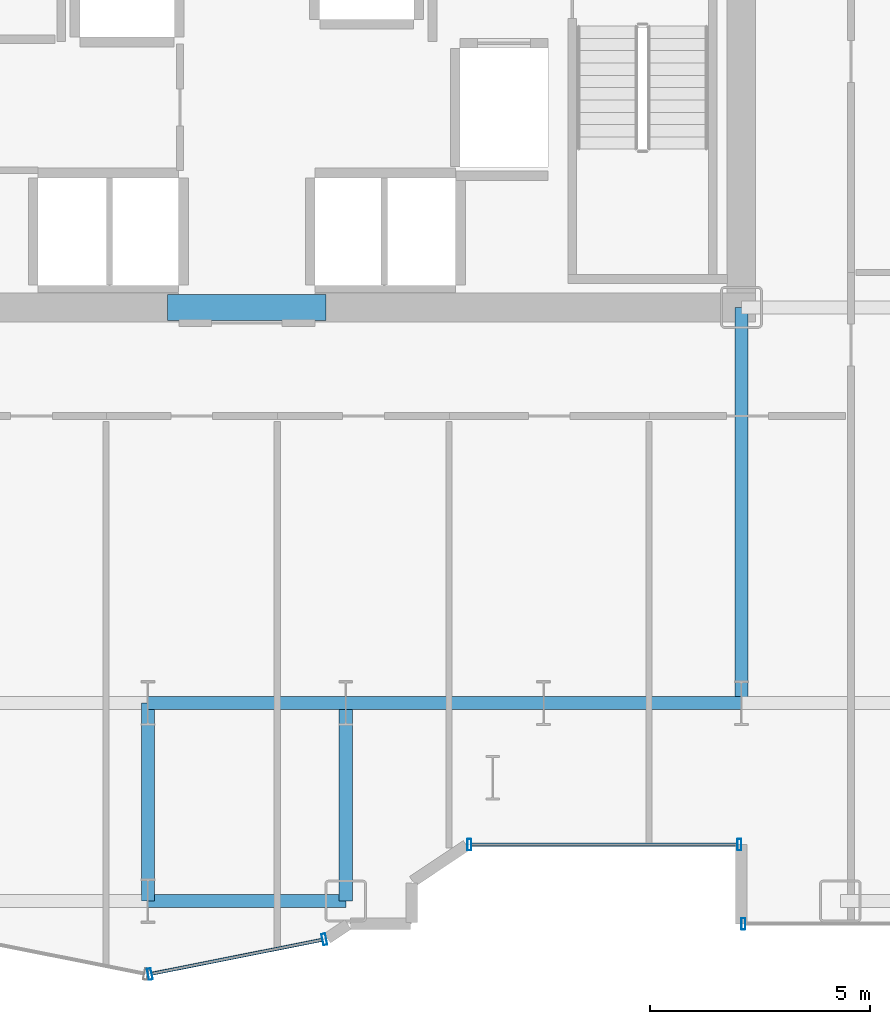
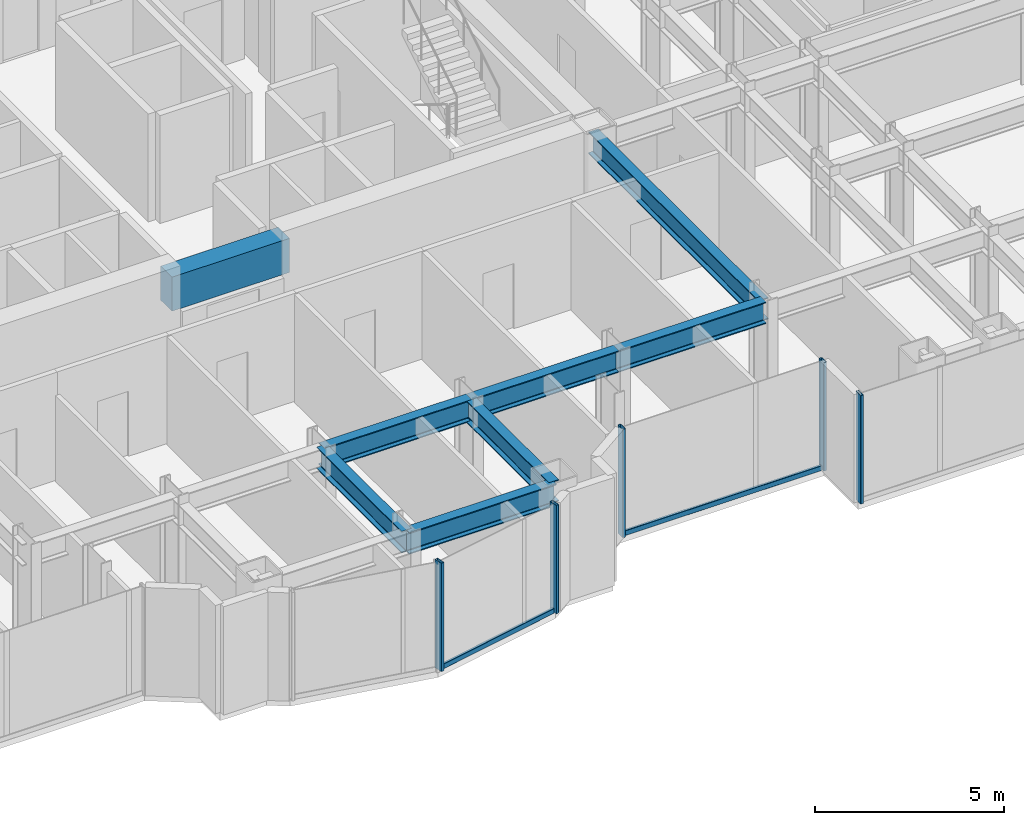
# One storey, part 6 of 26: 8 beams, 7 members, 3 elements without a shape of their own.
"""IFC4 building model written with IfcOpenShell, lengths in metres."""

from ifc_helpers import new_model, si_unit, direction, frame, origin, origin_2d, place, context, subcontext, project, spatial, rectangle, hollow_rectangle, i_section, extrude, source, transform, mapped, material, layer, layer_set, material_profile, profile_set, type_object, element, aggregate, save


model = new_model("IFC4")

# Units and contexts
model_context = context("Model", 3, precision=1e-05, world=origin(), true_north=direction((0.0, 1.0)))
body_context = subcontext(model_context, "Body", "Model", "MODEL_VIEW")
ifc_project = project(units=[si_unit("LENGTHUNIT", "METRE"), si_unit("AREAUNIT", "SQUARE_METRE"), si_unit("VOLUMEUNIT", "CUBIC_METRE"), si_unit("PLANEANGLEUNIT", "RADIAN"), si_unit("MASSUNIT", "GRAM", prefix="KILO")], contexts=[model_context])

# Site, building, storey
site_placement = place(None, origin())
site = spatial("IfcSite", under=ifc_project, at=site_placement, CompositionType="ELEMENT")
building_placement = place(site_placement, origin())
building = spatial("IfcBuilding", under=site, at=building_placement, Name="Nefas-Gora Pilgrimage Tower", CompositionType="ELEMENT")
storey_placement = place(building_placement, frame((0.0, 0.0, 82.39990234375)))
storey = spatial("IfcBuildingStorey", under=building, at=storey_placement, Name="L19", CompositionType="ELEMENT", Elevation=82.39990234375)

# Beams
ifc_material_1 = material(Name="Concrete C60/75", Category="concrete")
ifc_material_profile_1 = material_profile(ifc_material_1, rectangle(XDim=0.60009765625, YDim=1.10009765625, at=origin_2d()), Name="RC 600x1100")
ifc_profile_set_1 = profile_set([ifc_material_profile_1], Name="Concrete C60/75")
beam_type_1 = type_object("IfcBeamType", Name="BM-LIN-RC1100", PredefinedType="LINTEL", material=ifc_profile_set_1)
shared_shape_1 = source(origin(), body_context, "Body", "SweptSolid", [
    extrude(rectangle(XDim=0.60009765625, YDim=1.10009765625, at=origin_2d()), origin(), (0.0, 0.0, 1.0), 3.60009765625),
])
beam_1_placement = place(storey_placement, frame((-1.800048828125, -9.0, 2.9501953125), z_axis=(1.0, 0.0, 0.0), x_axis=(0.0, 1.0, 0.0)))
element("IfcBeam", 1, at=beam_1_placement, inside=storey, type_object=beam_type_1, Name="L19 Core Coupling Lintel Beam S", PredefinedType="LINTEL", context=body_context, shape_type="MappedRepresentation", body=[
    mapped(shared_shape_1, transform((0.0, 0.0, 0.0), x_axis=(1.0, 0.0, 0.0), y_axis=(0.0, 1.0, 0.0), z_axis=(0.0, 0.0, 1.0), scale=1.0)),
])
ifc_material_2 = material(Name="Steel S355", Category="steel")
ifc_material_profile_2 = material_profile(ifc_material_2, i_section(OverallWidth=0.300048828125, OverallDepth=0.699951171875, WebThickness=0.01708984375, FlangeThickness=0.031982421875, FilletRadius=0.027099609375, at=origin_2d()), Name="HEB 700")
ifc_profile_set_2 = profile_set([ifc_material_profile_2], Name="Steel S355")
beam_type_2 = type_object("IfcBeamType", Name="BM-GIR-HEB700", PredefinedType="BEAM", material=ifc_profile_set_2)
shared_shape_2 = source(origin(), body_context, "Body", "SweptSolid", [
    extrude(i_section(OverallWidth=0.300048828125, OverallDepth=0.699951171875, WebThickness=0.01708984375, FlangeThickness=0.031982421875, FilletRadius=0.027099609375, at=origin_2d()), origin(), (0.0, 0.0, 1.0), 9.0),
])
beam_2_placement = place(storey_placement, frame((11.25, -18.0, 3.150146484375), z_axis=(0.0, 1.0, 0.0), x_axis=(-1.0, 0.0, 0.0)))
element("IfcBeam", 2, at=beam_2_placement, inside=storey, type_object=beam_type_2, Name="L19 G-02 beam", PredefinedType="BEAM", context=body_context, shape_type="MappedRepresentation", body=[
    mapped(shared_shape_2, transform((0.0, 0.0, 0.0), x_axis=(1.0, 0.0, 0.0), y_axis=(0.0, 1.0, 0.0), z_axis=(0.0, 0.0, 1.0), scale=1.0)),
])
shared_shape_3 = source(origin(), body_context, "Body", "SweptSolid", [
    extrude(i_section(OverallWidth=0.300048828125, OverallDepth=0.699951171875, WebThickness=0.01708984375, FlangeThickness=0.031982421875, FilletRadius=0.027099609375, at=origin_2d()), origin(), (0.0, 0.0, 1.0), 4.5),
])
for number, where, z_axis, x_axis, name in (
    (3, (-2.25, -22.5, 3.150146484375), (0.0, 1.0, 0.0), (-1.0, 0.0, 0.0), "L19 G-02 beam"),
    (4, (-2.25, -22.5, 3.150146484375), (1.0, 0.0, 0.0), (0.0, 1.0, 0.0), "L19 G-02 beam"),
    (5, (-2.25, -18.0, 3.150146484375), (1.0, 0.0, 0.0), (0.0, 1.0, 0.0), "L19 G-02 beam"),
    (6, (2.25, -22.5, 3.150146484375), (0.0, 1.0, 0.0), (-1.0, 0.0, 0.0), "L19 G-02 beam"),
    (7, (2.25, -18.0, 3.150146484375), (1.0, 0.0, 0.0), (0.0, 1.0, 0.0), "L19 G-02 beam"),
    (8, (6.75, -18.0, 3.150146484375), (1.0, 0.0, 0.0), (0.0, 1.0, 0.0), "L19 G-02 beam"),
):
    element("IfcBeam", number, at=place(storey_placement, frame(where, z_axis=z_axis, x_axis=x_axis)), inside=storey, type_object=beam_type_2, Name=name, PredefinedType="BEAM", context=body_context, shape_type="MappedRepresentation", body=[
        mapped(shared_shape_3, transform((0.0, 0.0, 0.0), x_axis=(1.0, 0.0, 0.0), y_axis=(0.0, 1.0, 0.0), z_axis=(0.0, 0.0, 1.0), scale=1.0)),
    ])

# Curtain wall, member
ifc_material_3 = material(Name="Dark ceramic-fritted solar-control aluminium-glass curtain wall", Category="aluminium")
ifc_layer_1 = layer(ifc_material_3, 0.219970703125)
ifc_layer_set_1 = layer_set([ifc_layer_1], Name="Dark ceramic-fritted solar-control aluminium-glass curtain wall")
curtain_wall_type_1 = type_object("IfcCurtainWallType", Name="CW-SYS-5", PredefinedType="NOTDEFINED", material=ifc_layer_set_1)
curtain_wall_1_placement = place(storey_placement, origin())
curtain_wall_1 = element("IfcCurtainWall", 9, at=curtain_wall_1_placement, inside=storey, type_object=curtain_wall_type_1, Name="L19 Unitised Curtain Wall CW5", PredefinedType="NOTDEFINED")
ifc_material_4 = material(Name="Anodised architectural aluminium", Category="aluminium")
ifc_material_profile_3 = material_profile(ifc_material_4, hollow_rectangle(XDim=0.080078125, YDim=0.159912109375, WallThickness=0.00439453125, InnerFilletRadius=0.00439453125, OuterFilletRadius=0.009033203125, at=origin_2d()), Name="ALU TRANSOM 80x160")
ifc_profile_set_3 = profile_set([ifc_material_profile_3], Name="Anodised architectural aluminium")
member_type_1 = type_object("IfcMemberType", Name="CWM-TRN-5", PredefinedType="USERDEFINED", material=ifc_profile_set_3)
shared_shape_4 = source(origin(), body_context, "Body", "SweptSolid", [
    extrude(hollow_rectangle(XDim=0.080078125, YDim=0.159912109375, WallThickness=0.00439453125, InnerFilletRadius=0.00439453125, OuterFilletRadius=0.009033203125, at=origin_2d()), origin(), (0.0, 0.0, 1.0), 6.052001953125),
])
member_1_placement = place(storey_placement, frame((5.10791015625, -21.219970703125, 0.050048828125), z_axis=(1.0, 0.0, 0.0), x_axis=(0.0, 1.0, 0.0)))
member_1 = element("IfcMember", 10, at=member_1_placement, type_object=member_type_1, Name="CW5 Spandrel Transom", ObjectType="TRANSOM", PredefinedType="USERDEFINED", context=body_context, shape_type="MappedRepresentation", body=[
    mapped(shared_shape_4, transform((0.0, 0.0, 0.0), x_axis=(1.0, 0.0, 0.0), y_axis=(0.0, 1.0, 0.0), z_axis=(0.0, 0.0, 1.0), scale=1.0)),
])

curtain_wall_2_placement = place(storey_placement, origin())
curtain_wall_2 = element("IfcCurtainWall", 11, at=curtain_wall_2_placement, inside=storey, type_object=curtain_wall_type_1, Name="L19 Unitised Curtain Wall CW5", PredefinedType="NOTDEFINED")
shared_shape_5 = source(origin(), body_context, "Body", "SweptSolid", [
    extrude(hollow_rectangle(XDim=0.080078125, YDim=0.159912109375, WallThickness=0.00439453125, InnerFilletRadius=0.00439453125, OuterFilletRadius=0.009033203125, at=origin_2d()), origin(), (0.0, 0.0, 1.0), 3.95654296875),
])
member_2_placement = place(storey_placement, frame((-2.16162109375, -24.15478515625, 0.050048828125), z_axis=(0.980781880918, 0.195107411605, 0.0), x_axis=(-0.195107411605, 0.980781880918, 0.0)))
member_2 = element("IfcMember", 12, at=member_2_placement, type_object=member_type_1, Name="CW5 Spandrel Transom", ObjectType="TRANSOM", PredefinedType="USERDEFINED", context=body_context, shape_type="MappedRepresentation", body=[
    mapped(shared_shape_5, transform((0.0, 0.0, 0.0), x_axis=(1.0, 0.0, 0.0), y_axis=(0.0, 1.0, 0.0), z_axis=(0.0, 0.0, 1.0), scale=1.0)),
])

# Member
ifc_material_profile_4 = material_profile(ifc_material_4, hollow_rectangle(XDim=0.090087890625, YDim=0.260009765625, WallThickness=0.006103515625, InnerFilletRadius=0.006103515625, OuterFilletRadius=0.011962890625, at=origin_2d()), Name="ALU MULLION 90x260")
ifc_profile_set_4 = profile_set([ifc_material_profile_4], Name="Anodised architectural aluminium")
member_type_2 = type_object("IfcMemberType", Name="CWM-MUL-5", PredefinedType="MULLION", material=ifc_profile_set_4)
shared_shape_6 = source(origin(), body_context, "Body", "SweptSolid", [
    extrude(hollow_rectangle(XDim=0.090087890625, YDim=0.260009765625, WallThickness=0.006103515625, InnerFilletRadius=0.006103515625, OuterFilletRadius=0.011962890625, at=origin_2d()), origin(), (0.0, 0.0, 1.0), 3.5),
])
member_3_placement = place(storey_placement, frame((5.06298828125, -21.219970703125, 0.0), z_axis=(0.0, 0.0, 1.0), x_axis=(1.0, 0.0, 0.0)))
member_3 = element("IfcMember", 13, at=member_3_placement, type_object=member_type_2, Name="CW5 Mullion 1", PredefinedType="MULLION", context=body_context, shape_type="MappedRepresentation", body=[
    mapped(shared_shape_6, transform((0.0, 0.0, 0.0), x_axis=(1.0, 0.0, 0.0), y_axis=(0.0, 1.0, 0.0), z_axis=(0.0, 0.0, 1.0), scale=1.0)),
])

member_4_placement = place(storey_placement, frame((11.205078125, -21.219970703125, 0.0), z_axis=(0.0, 0.0, 1.0), x_axis=(1.0, 0.0, 0.0)))
member_4 = element("IfcMember", 14, at=member_4_placement, type_object=member_type_2, Name="CW5 Mullion 2", PredefinedType="MULLION", context=body_context, shape_type="MappedRepresentation", body=[
    mapped(shared_shape_6, transform((0.0, 0.0, 0.0), x_axis=(1.0, 0.0, 0.0), y_axis=(0.0, 1.0, 0.0), z_axis=(0.0, 0.0, 1.0), scale=1.0)),
])

aggregate(curtain_wall_1, [member_3, member_4, member_1])

member_5_placement = place(storey_placement, frame((-2.205810546875, -24.16357421875, 0.0), z_axis=(0.0, 0.0, 1.0), x_axis=(0.980782896852, 0.195102304554, 0.0)))
member_5 = element("IfcMember", 15, at=member_5_placement, type_object=member_type_2, Name="CW5 Mullion 1", PredefinedType="MULLION", context=body_context, shape_type="MappedRepresentation", body=[
    mapped(shared_shape_6, transform((0.0, 0.0, 0.0), x_axis=(1.0, 0.0, 0.0), y_axis=(0.0, 1.0, 0.0), z_axis=(0.0, 0.0, 1.0), scale=1.0)),
])

member_6_placement = place(storey_placement, frame((1.76318359375, -23.3740234375, 0.0), z_axis=(0.0, 0.0, 1.0), x_axis=(0.980782896852, 0.195102304554, 0.0)))
member_6 = element("IfcMember", 16, at=member_6_placement, type_object=member_type_2, Name="CW5 Mullion 2", PredefinedType="MULLION", context=body_context, shape_type="MappedRepresentation", body=[
    mapped(shared_shape_6, transform((0.0, 0.0, 0.0), x_axis=(1.0, 0.0, 0.0), y_axis=(0.0, 1.0, 0.0), z_axis=(0.0, 0.0, 1.0), scale=1.0)),
])

aggregate(curtain_wall_2, [member_5, member_6, member_2])

# Curtain wall, member
ifc_layer_2 = layer(ifc_material_3, 0.219970703125)
ifc_layer_set_2 = layer_set([ifc_layer_2], Name="Dark ceramic-fritted solar-control aluminium-glass curtain wall")
curtain_wall_type_2 = type_object("IfcCurtainWallType", Name="CW-SYS-2", PredefinedType="NOTDEFINED", material=ifc_layer_set_2)
curtain_wall_3_placement = place(storey_placement, origin())
curtain_wall_3 = element("IfcCurtainWall", 17, at=curtain_wall_3_placement, inside=storey, type_object=curtain_wall_type_2, Name="L19 Unitised Curtain Wall CW2", PredefinedType="NOTDEFINED")
ifc_material_profile_5 = material_profile(ifc_material_4, hollow_rectangle(XDim=0.090087890625, YDim=0.260009765625, WallThickness=0.006103515625, InnerFilletRadius=0.006103515625, OuterFilletRadius=0.011962890625, at=origin_2d()), Name="ALU MULLION 90x260")
ifc_profile_set_5 = profile_set([ifc_material_profile_5], Name="Anodised architectural aluminium")
member_type_3 = type_object("IfcMemberType", Name="CWM-MUL-2", PredefinedType="MULLION", material=ifc_profile_set_5)
shared_shape_7 = source(origin(), body_context, "Body", "SweptSolid", [
    extrude(hollow_rectangle(XDim=0.090087890625, YDim=0.260009765625, WallThickness=0.006103515625, InnerFilletRadius=0.006103515625, OuterFilletRadius=0.011962890625, at=origin_2d()), origin(), (0.0, 0.0, 1.0), 3.5),
])
member_7_placement = place(storey_placement, frame((11.294921875, -23.02001953125, 0.0), z_axis=(0.0, 0.0, 1.0), x_axis=(1.0, 0.0, 0.0)))
member_7 = element("IfcMember", 18, at=member_7_placement, type_object=member_type_3, Name="CW2 Mullion 1", PredefinedType="MULLION", context=body_context, shape_type="MappedRepresentation", body=[
    mapped(shared_shape_7, transform((0.0, 0.0, 0.0), x_axis=(1.0, 0.0, 0.0), y_axis=(0.0, 1.0, 0.0), z_axis=(0.0, 0.0, 1.0), scale=1.0)),
])
aggregate(curtain_wall_3, [member_7])

save(model, "model.ifc")
